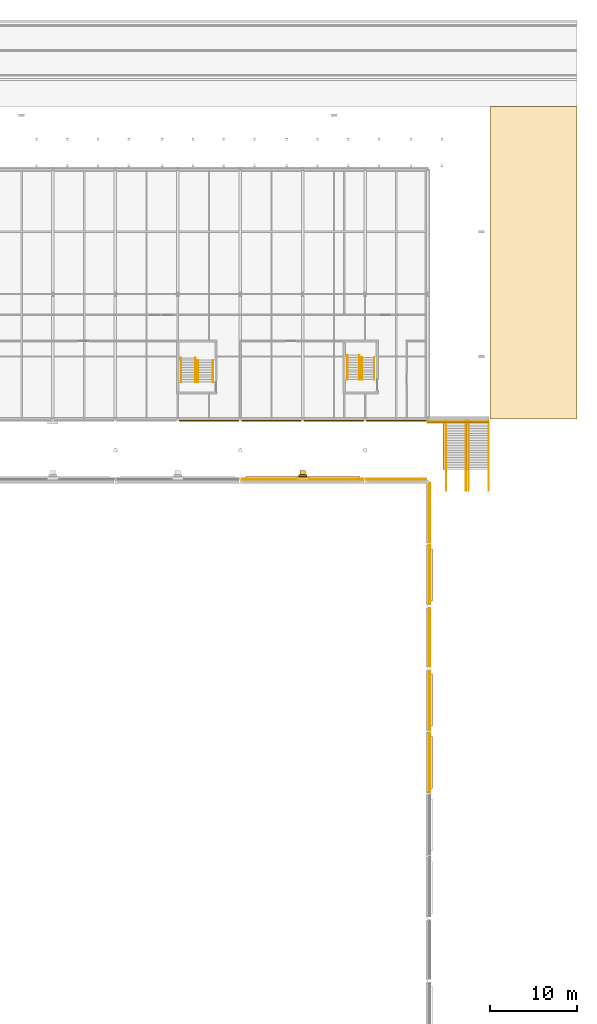
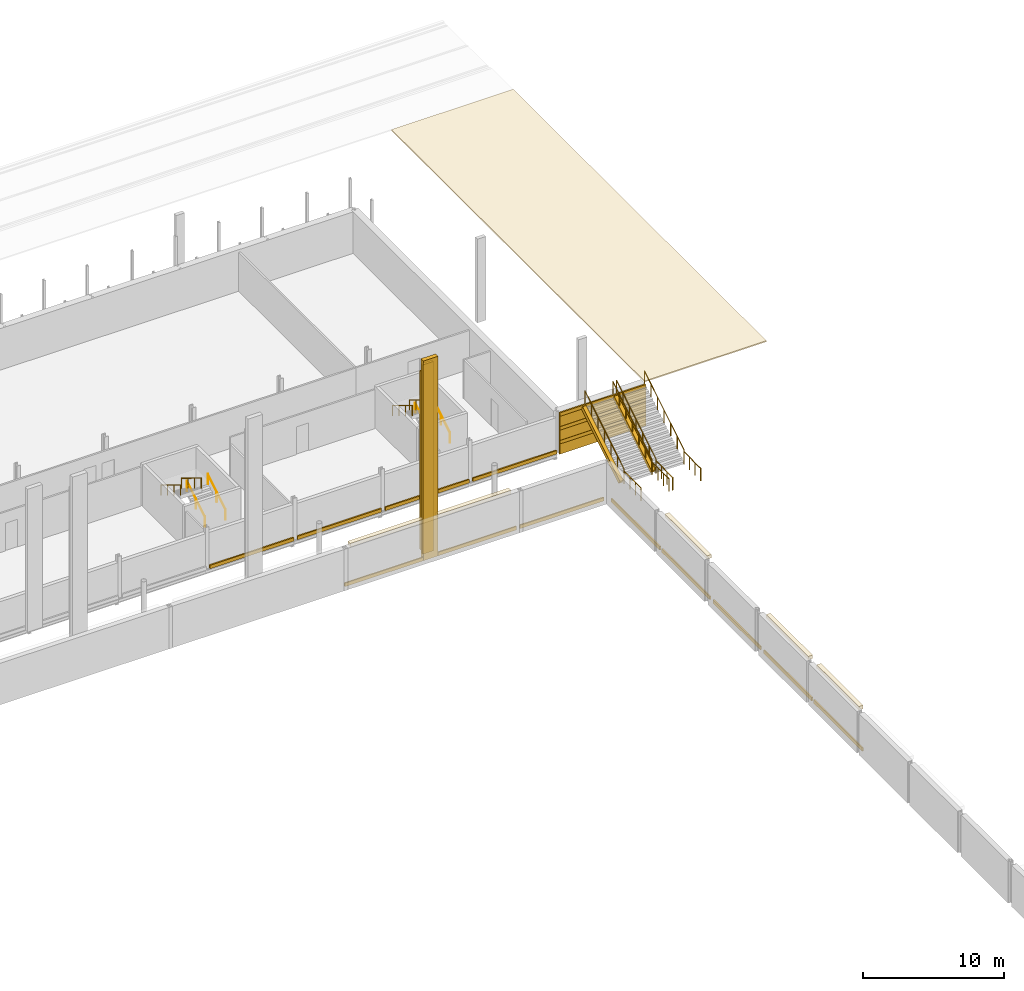
# One storey, part 86 of 90: 29 coverings, 16 railings.
"""IFC4 building model written with IfcOpenShell, lengths in metres."""

from ifc_helpers import new_model, si_unit, direction, frame, origin, origin_2d, place, context, subcontext, project, spatial, polyline, rectangle, circle, outline, extrude, material, layer, layer_set, type_object, element, save


model = new_model("IFC4")

# Units and contexts
model_context = context("Model", 3, precision=1e-05, world=origin(), true_north=direction((0.0, 1.0)))
body_context = subcontext(model_context, "Body", "Model", "MODEL_VIEW")
ifc_project = project(units=[si_unit("LENGTHUNIT", "METRE"), si_unit("AREAUNIT", "SQUARE_METRE"), si_unit("VOLUMEUNIT", "CUBIC_METRE"), si_unit("PLANEANGLEUNIT", "RADIAN"), si_unit("MASSUNIT", "GRAM", prefix="KILO")], contexts=[model_context])

# Site, building, storey
site_placement = place(None, origin())
site = spatial("IfcSite", under=ifc_project, at=site_placement, CompositionType="ELEMENT")
building_placement = place(site_placement, origin())
building = spatial("IfcBuilding", under=site, at=building_placement, Name="Kupolbacken Congress Centre", CompositionType="ELEMENT")
storey_placement = place(building_placement, frame((0.0, 0.0, 3.60009765625)))
storey = spatial("IfcBuildingStorey", under=building, at=storey_placement, Name="L01", CompositionType="ELEMENT", Elevation=3.60009765625)

# Coverings
ifc_material_1 = material(Name="Limestone cladding", Category="masonry")
ifc_layer_1 = layer(ifc_material_1, 0.1201171875)
ifc_layer_set_1 = layer_set([ifc_layer_1], Name="Limestone cladding")
covering_type_1 = type_object("IfcCoveringType", Name="CV1 limestone cladding band 120", PredefinedType="CLADDING", material=ifc_layer_set_1)
for number, where, z_axis, x_axis, name in (
    (1, (176.39990234375, 122.18994140625, 0.0), (0.0, 0.0, 1.0), (1.0, 0.0, 0.0), "E/B/S/L01/120/band"),
    (2, (183.60009765625, 122.18994140625, 0.0), (0.0, 0.0, 1.0), (1.0, 0.0, 0.0), "E/B/S/L01/121/band"),
    (3, (190.800048828125, 122.18994140625, 0.0), (0.0, 0.0, 1.0), (1.0, 0.0, 0.0), "E/B/S/L01/122/band"),
    (4, (198.0, 122.18994140625, 0.0), (0.0, 0.0, 1.0), (1.0, 0.0, 0.0), "E/B/S/L01/123/band"),
):
    element("IfcCovering", number, at=place(storey_placement, frame(where, z_axis=z_axis, x_axis=x_axis)), inside=storey, type_object=covering_type_1, Name=name, PredefinedType="CLADDING", context=body_context, shape_type="SweptSolid", body=[
        extrude(rectangle(XDim=6.89990234375, YDim=0.1201171875, at=origin_2d()), origin(), (0.0, 0.0, 1.0), 0.300048828125),
    ])
for number, where, name in (
    (5, (0.0, 0.0, 0.89990234375), "Retaining wall facing, limestone course"),
    (6, (0.0, 0.0, 2.099853515625), "Retaining wall facing, limestone course"),
    (7, (0.0, 0.0, 3.2998046875), "Retaining wall facing, limestone course"),
):
    element("IfcCovering", number, at=place(storey_placement, frame(where)), inside=storey, type_object=covering_type_1, Name=name, PredefinedType="CLADDING", context=body_context, shape_type="SweptSolid", body=[
        extrude(outline(polyline([(201.60009765625, 121.97998046875), (201.60009765625, 122.10009765625), (208.669921875, 122.10009765625), (208.669921875, 121.97998046875), (201.60009765625, 121.97998046875)])), origin(), (0.0, 0.0, 1.0), 0.300048828125),
    ])
covering_1_placement = place(storey_placement, frame((206.10009765625, 116.550048828125, 0.3212890625), z_axis=(0.0, -0.522084720175, 0.852893630507), x_axis=(0.0, 0.852893630507, 0.522084720175)))
element("IfcCovering", 8, at=covering_1_placement, inside=storey, type_object=covering_type_1, Name="Stair cheek band", PredefinedType="CLADDING", context=body_context, shape_type="SweptSolid", body=[
    extrude(outline(polyline([(0.0, 0.0), (6.237669234569635, 0.0), (6.237669234569635, -0.2998046875), (0.0, -0.2998046875), (0.0, 0.0)])), origin(), (0.0, 0.0, -1.0), 0.35009765625),
])
for number, where, z_axis, x_axis, name in (
    (9, (203.699951171875, 116.550048828125, 0.3212890625), (0.0, -0.522084720175, 0.852893630507), (0.0, 0.852893630507, 0.522084720175), "Stair cheek band"),
    (10, (206.300048828125, 116.550048828125, 0.3212890625), (0.0, -0.522084720175, 0.852893630507), (0.0, 0.852893630507, 0.522084720175), "Stair cheek band"),
):
    element("IfcCovering", number, at=place(storey_placement, frame(where, z_axis=z_axis, x_axis=x_axis)), inside=storey, type_object=covering_type_1, Name=name, PredefinedType="CLADDING", context=body_context, shape_type="SweptSolid", body=[
        extrude(outline(polyline([(0.0, 0.0), (6.237669234569635, 0.0), (6.237669234569635, 0.300048828125), (0.0, 0.300048828125), (0.0, 0.0)])), origin(), (0.0, 0.0, -1.0), 0.35009765625),
    ])
ifc_material_2 = material(Name="Brick cladding", Category="masonry")
ifc_layer_2 = layer(ifc_material_2, 0.10791015625)
ifc_layer_set_2 = layer_set([ifc_layer_2], Name="Brick cladding")
covering_type_2 = type_object("IfcCoveringType", Name="CV2 brick cladding band 108", PredefinedType="CLADDING", material=ifc_layer_set_2)
covering_2_placement = place(storey_placement, frame((201.864013671875, 82.800048828125, 0.0), z_axis=(0.0, 0.0, 1.0), x_axis=(0.0, 1.0, 0.0)))
element("IfcCovering", 11, at=covering_2_placement, inside=storey, type_object=covering_type_2, Name="E/H/E/L01/157/band", PredefinedType="CLADDING", context=body_context, shape_type="SweptSolid", body=[
    extrude(rectangle(XDim=6.909912109375, YDim=0.10791015625, at=origin_2d()), origin(), (0.0, 0.0, 1.0), 0.300048828125),
])
covering_3_placement = place(storey_placement, frame((201.864013671875, 89.949951171875, 0.0), z_axis=(0.0, 0.0, 1.0), x_axis=(0.0, 1.0, 0.0)))
element("IfcCovering", 12, at=covering_3_placement, inside=storey, type_object=covering_type_2, Name="E/H/E/L01/158/band", PredefinedType="CLADDING", context=body_context, shape_type="SweptSolid", body=[
    extrude(rectangle(XDim=6.81005859375, YDim=0.10791015625, at=origin_2d()), origin(), (0.0, 0.0, 1.0), 0.300048828125),
])
covering_4_placement = place(storey_placement, frame((201.864013671875, 97.199951171875, 0.0), z_axis=(0.0, 0.0, 1.0), x_axis=(0.0, 1.0, 0.0)))
element("IfcCovering", 13, at=covering_4_placement, inside=storey, type_object=covering_type_2, Name="E/H/E/L01/159/band", PredefinedType="CLADDING", context=body_context, shape_type="SweptSolid", body=[
    extrude(rectangle(XDim=6.7099609375, YDim=0.10791015625, at=origin_2d()), origin(), (0.0, 0.0, 1.0), 0.300048828125),
])
covering_5_placement = place(storey_placement, frame((201.864013671875, 104.449951171875, 0.0), z_axis=(0.0, 0.0, 1.0), x_axis=(0.0, 1.0, 0.0)))
element("IfcCovering", 14, at=covering_5_placement, inside=storey, type_object=covering_type_2, Name="E/H/E/L01/160/band", PredefinedType="CLADDING", context=body_context, shape_type="SweptSolid", body=[
    extrude(rectangle(XDim=6.81005859375, YDim=0.10791015625, at=origin_2d()), origin(), (0.0, 0.0, 1.0), 0.300048828125),
])
covering_6_placement = place(storey_placement, frame((201.864013671875, 111.60009765625, 0.0), z_axis=(0.0, 0.0, 1.0), x_axis=(0.0, 1.0, 0.0)))
element("IfcCovering", 15, at=covering_6_placement, inside=storey, type_object=covering_type_2, Name="E/H/E/L01/161/band", PredefinedType="CLADDING", context=body_context, shape_type="SweptSolid", body=[
    extrude(rectangle(XDim=6.909912109375, YDim=0.10791015625, at=origin_2d()), origin(), (0.0, 0.0, 1.0), 0.300048828125),
])
covering_7_placement = place(storey_placement, frame((198.0, 115.464111328125, 0.0), z_axis=(0.0, 0.0, 1.0), x_axis=(-1.0, 0.0, 0.0)))
element("IfcCovering", 16, at=covering_7_placement, inside=storey, type_object=covering_type_2, Name="E/H/N/L01/162/band", PredefinedType="CLADDING", context=body_context, shape_type="SweptSolid", body=[
    extrude(rectangle(XDim=6.89990234375, YDim=0.10791015625, at=origin_2d()), origin(), (0.0, 0.0, 1.0), 0.300048828125),
])
covering_8_placement = place(storey_placement, frame((187.199951171875, 115.464111328125, 0.0), z_axis=(0.0, 0.0, 1.0), x_axis=(-1.0, 0.0, 0.0)))
element("IfcCovering", 17, at=covering_8_placement, inside=storey, type_object=covering_type_2, Name="E/H/N/L01/163/band", PredefinedType="CLADDING", context=body_context, shape_type="SweptSolid", body=[
    extrude(rectangle(XDim=14.10009765625, YDim=0.10791015625, at=origin_2d()), origin(), (0.0, 0.0, 1.0), 0.300048828125),
])
for number, where, name in (
    (18, (0.0, 0.0, 0.0), "Retaining wall facing, brick course"),
    (19, (0.0, 0.0, 1.199951171875), "Retaining wall facing, brick course"),
    (20, (0.0, 0.0, 2.39990234375), "Retaining wall facing, brick course"),
):
    element("IfcCovering", number, at=place(storey_placement, frame(where)), inside=storey, type_object=covering_type_2, Name=name, PredefinedType="CLADDING", context=body_context, shape_type="SweptSolid", body=[
        extrude(outline(polyline([(201.60009765625, 121.991943359375), (201.60009765625, 122.10009765625), (208.669921875, 122.10009765625), (208.669921875, 121.991943359375), (201.60009765625, 121.991943359375)])), origin(), (0.0, 0.0, 1.0), 0.89990234375),
    ])
ifc_material_3 = material(Name="Limestone cladding", Category="masonry")
ifc_layer_3 = layer(ifc_material_3, 0.35009765625)
ifc_layer_set_3 = layer_set([ifc_layer_3], Name="Limestone cladding")
covering_type_3 = type_object("IfcCoveringType", Name="CV3 limestone pilaster strip 350", PredefinedType="CLADDING", material=ifc_layer_set_3)
covering_9_placement = place(storey_placement, frame((187.199951171875, 115.5849609375, 0.0), z_axis=(0.0, 0.0, 1.0), x_axis=(1.0, 0.0, 0.0)))
element("IfcCovering", 21, at=covering_9_placement, inside=storey, type_object=covering_type_3, Name="F/H/N/pil/14/0", PredefinedType="CLADDING", context=body_context, shape_type="SweptSolid", body=[
    extrude(rectangle(XDim=1.199951171875, YDim=0.35009765625, at=origin_2d()), origin(), (0.0, 0.0, 1.0), 17.3349609375),
])
for number, where, z_axis, x_axis, name in (
    (22, (183.60009765625, 115.5849609375, 3.2998046875), (0.0, 0.0, 1.0), (1.0, 0.0, 0.0), "F/HR/H/N/string/7.2/13/0"),
    (23, (190.800048828125, 115.5849609375, 3.2998046875), (0.0, 0.0, 1.0), (1.0, 0.0, 0.0), "F/HR/H/N/string/7.2/14/0"),
    (24, (201.985107421875, 82.800048828125, 3.2998046875), (0.0, 0.0, 1.0), (0.0, 1.0, 0.0), "F/HR/H/E/string/7.2/05/0"),
    (25, (201.985107421875, 90.0, 3.2998046875), (0.0, 0.0, 1.0), (0.0, 1.0, 0.0), "F/HR/H/E/string/7.2/06/0"),
    (26, (201.985107421875, 104.39990234375, 3.2998046875), (0.0, 0.0, 1.0), (0.0, 1.0, 0.0), "F/HR/H/E/string/7.2/08/0"),
):
    element("IfcCovering", number, at=place(storey_placement, frame(where, z_axis=z_axis, x_axis=x_axis)), inside=storey, type_object=covering_type_3, Name=name, PredefinedType="CLADDING", context=body_context, shape_type="SweptSolid", body=[
        extrude(rectangle(XDim=6.0, YDim=0.35009765625, at=origin_2d()), origin(), (0.0, 0.0, 1.0), 0.300048828125),
    ])
ifc_material_4 = material(Name="Limestone cladding", Category="masonry")
ifc_layer_4 = layer(ifc_material_4, 0.5)
ifc_layer_set_4 = layer_set([ifc_layer_4], Name="Limestone cladding")
covering_type_4 = type_object("IfcCoveringType", Name="CV8 limestone drum pier 500", PredefinedType="CLADDING", material=ifc_layer_set_4)
covering_10_placement = place(storey_placement, frame((187.199951171875, 116.2099609375, 0.2998046875), z_axis=(0.0, 0.0, 1.0), x_axis=(1.0, 0.0, 0.0)))
element("IfcCovering", 27, at=covering_10_placement, inside=storey, type_object=covering_type_4, Name="F/HR/H/N/butt/14-0/0", PredefinedType="CLADDING", context=body_context, shape_type="SweptSolid", body=[
    extrude(rectangle(XDim=0.60009765625, YDim=0.5, at=origin_2d()), origin(), (0.0, 0.0, 1.0), 15.485107421875),
])
ifc_material_5 = material(Name="Limestone cladding", Category="masonry")
ifc_layer_5 = layer(ifc_material_5, 0.199951171875)
ifc_layer_set_5 = layer_set([ifc_layer_5], Name="Limestone cladding")
covering_type_5 = type_object("IfcCoveringType", Name="CV9 limestone drum arch frame 200", PredefinedType="CLADDING", material=ifc_layer_set_5)
covering_11_placement = place(storey_placement, frame((187.199951171875, 115.860107421875, 0.2998046875), z_axis=(0.0, 0.0, 1.0), x_axis=(1.0, 0.0, 0.0)))
element("IfcCovering", 28, at=covering_11_placement, inside=storey, type_object=covering_type_5, Name="F/HR/H/N/rib/14-0/0", PredefinedType="CLADDING", context=body_context, shape_type="SweptSolid", body=[
    extrude(rectangle(XDim=0.89990234375, YDim=0.199951171875, at=origin_2d()), origin(), (0.0, 0.0, 1.0), 16.43505859375),
])
ifc_material_6 = material(Name="Grass", Category="soil")
ifc_layer_6 = layer(ifc_material_6, 0.10009765625)
ifc_layer_set_6 = layer_set([ifc_layer_6], Name="Grass")
covering_type_6 = type_object("IfcCoveringType", Name="GR2 grass surface 100", PredefinedType="FLOORING", material=ifc_layer_set_6)
covering_12_placement = place(storey_placement, frame((0.0, 0.0, 3.5)))
element("IfcCovering", 29, at=covering_12_placement, inside=storey, type_object=covering_type_6, Name="Grass, east hill 122", PredefinedType="FLOORING", context=body_context, shape_type="SweptSolid", body=[
    extrude(outline(polyline([(218.800048828125, 158.39990234375), (218.800048828125, 122.39990234375), (208.800048828125, 122.39990234375), (208.800048828125, 158.39990234375), (218.800048828125, 158.39990234375)])), origin(), (0.0, 0.0, 1.0), 0.099853515625),
])

# Railings
ifc_material_7 = material(Name="Steel S235", Category="steel")
railing_type_1 = type_object("IfcRailingType", Name="RL2 stair guard with handrail 900 / 1100", PredefinedType="GUARDRAIL", material=ifc_material_7)
for number, where, name in (
    (30, (203.75, 116.550048828125, 0.17138671875), "C/xguard/XS2/XS2-B/W"),
    (31, (206.050048828125, 116.550048828125, 0.17138671875), "C/xguard/XS2/XS2-B/E"),
):
    element("IfcRailing", number, at=place(storey_placement, frame(where)), inside=storey, type_object=railing_type_1, Name=name, PredefinedType="GUARDRAIL", context=body_context, shape_type="SweptSolid", body=[
        extrude(circle(Radius=0.02392578125, at=origin_2d()), frame((0.0, 0.0, 1.076171875), z_axis=(0.0, 0.852885433425, 0.522098110944), x_axis=(-1.0, 0.0, 0.0)), (0.0, 0.0, 1.0), 6.565673828125),
        extrude(circle(Radius=0.02099609375, at=origin_2d()), origin(), (0.0, 0.0, 1.0), 1.052001953125),
        extrude(circle(Radius=0.02099609375, at=origin_2d()), frame((0.0, 0.933349609375, 0.5712890625)), (0.0, 0.0, 1.0), 1.052001953125),
        extrude(circle(Radius=0.02099609375, at=origin_2d()), frame((0.0, 1.86669921875, 1.142578125)), (0.0, 0.0, 1.0), 1.052001953125),
        extrude(circle(Radius=0.02099609375, at=origin_2d()), frame((0.0, 2.7998046875, 1.7138671875)), (0.0, 0.0, 1.0), 1.052001953125),
        extrude(circle(Radius=0.02099609375, at=origin_2d()), frame((0.0, 3.733154296875, 2.285400390625)), (0.0, 0.0, 1.0), 1.052001953125),
        extrude(circle(Radius=0.02099609375, at=origin_2d()), frame((0.0, 4.66650390625, 2.856689453125)), (0.0, 0.0, 1.0), 1.052001953125),
        extrude(circle(Radius=0.02099609375, at=origin_2d()), frame((0.0, 5.599853515625, 3.427978515625)), (0.0, 0.0, 1.0), 1.052001953125),
    ])
for number, where, name in (
    (32, (203.75, 114.14990234375, 0.0), "C/xguard/XS2/L1/W"),
    (33, (206.050048828125, 114.14990234375, 0.0), "C/xguard/XS2/L1/E"),
):
    element("IfcRailing", number, at=place(storey_placement, frame(where)), inside=storey, type_object=railing_type_1, Name=name, PredefinedType="GUARDRAIL", context=body_context, shape_type="SweptSolid", body=[
        extrude(circle(Radius=0.02392578125, at=origin_2d()), frame((0.0, 0.0, 1.076171875), z_axis=(0.0, 1.0, 0.0), x_axis=(-1.0, 0.0, 0.0)), (0.0, 0.0, 1.0), 2.400146484375),
        extrude(circle(Radius=0.02099609375, at=origin_2d()), origin(), (0.0, 0.0, 1.0), 1.052001953125),
        extrude(circle(Radius=0.02099609375, at=origin_2d()), frame((0.0, 0.800048828125, 0.0)), (0.0, 0.0, 1.0), 1.052001953125),
        extrude(circle(Radius=0.02099609375, at=origin_2d()), frame((0.0, 1.60009765625, 0.0)), (0.0, 0.0, 1.0), 1.052001953125),
        extrude(circle(Radius=0.02099609375, at=origin_2d()), frame((0.0, 2.400146484375, 0.0)), (0.0, 0.0, 1.0), 1.052001953125),
    ])
for number, where, name in (
    (34, (206.35009765625, 116.550048828125, 0.17138671875), "C/xguard/XS3/XS3-B/W"),
    (35, (208.64990234375, 116.550048828125, 0.17138671875), "C/xguard/XS3/XS3-B/E"),
):
    element("IfcRailing", number, at=place(storey_placement, frame(where)), inside=storey, type_object=railing_type_1, Name=name, PredefinedType="GUARDRAIL", context=body_context, shape_type="SweptSolid", body=[
        extrude(circle(Radius=0.02392578125, at=origin_2d()), frame((0.0, 0.0, 1.076171875), z_axis=(0.0, 0.852885433425, 0.522098110944), x_axis=(-1.0, 0.0, 0.0)), (0.0, 0.0, 1.0), 6.565673828125),
        extrude(circle(Radius=0.02099609375, at=origin_2d()), origin(), (0.0, 0.0, 1.0), 1.052001953125),
        extrude(circle(Radius=0.02099609375, at=origin_2d()), frame((0.0, 0.933349609375, 0.5712890625)), (0.0, 0.0, 1.0), 1.052001953125),
        extrude(circle(Radius=0.02099609375, at=origin_2d()), frame((0.0, 1.86669921875, 1.142578125)), (0.0, 0.0, 1.0), 1.052001953125),
        extrude(circle(Radius=0.02099609375, at=origin_2d()), frame((0.0, 2.7998046875, 1.7138671875)), (0.0, 0.0, 1.0), 1.052001953125),
        extrude(circle(Radius=0.02099609375, at=origin_2d()), frame((0.0, 3.733154296875, 2.285400390625)), (0.0, 0.0, 1.0), 1.052001953125),
        extrude(circle(Radius=0.02099609375, at=origin_2d()), frame((0.0, 4.66650390625, 2.856689453125)), (0.0, 0.0, 1.0), 1.052001953125),
        extrude(circle(Radius=0.02099609375, at=origin_2d()), frame((0.0, 5.599853515625, 3.427978515625)), (0.0, 0.0, 1.0), 1.052001953125),
    ])
for number, where, name in (
    (36, (206.35009765625, 114.14990234375, 0.0), "C/xguard/XS3/L1/W"),
    (37, (208.64990234375, 114.14990234375, 0.0), "C/xguard/XS3/L1/E"),
):
    element("IfcRailing", number, at=place(storey_placement, frame(where)), inside=storey, type_object=railing_type_1, Name=name, PredefinedType="GUARDRAIL", context=body_context, shape_type="SweptSolid", body=[
        extrude(circle(Radius=0.02392578125, at=origin_2d()), frame((0.0, 0.0, 1.076171875), z_axis=(0.0, 1.0, 0.0), x_axis=(-1.0, 0.0, 0.0)), (0.0, 0.0, 1.0), 2.400146484375),
        extrude(circle(Radius=0.02099609375, at=origin_2d()), origin(), (0.0, 0.0, 1.0), 1.052001953125),
        extrude(circle(Radius=0.02099609375, at=origin_2d()), frame((0.0, 0.800048828125, 0.0)), (0.0, 0.0, 1.0), 1.052001953125),
        extrude(circle(Radius=0.02099609375, at=origin_2d()), frame((0.0, 1.60009765625, 0.0)), (0.0, 0.0, 1.0), 1.052001953125),
        extrude(circle(Radius=0.02099609375, at=origin_2d()), frame((0.0, 2.400146484375, 0.0)), (0.0, 0.0, 1.0), 1.052001953125),
    ])
ifc_material_8 = material(Name="Steel S235", Category="steel")
railing_type_2 = type_object("IfcRailingType", Name="RL3 handrail wall-mounted 900", PredefinedType="HANDRAIL", material=ifc_material_8)
for number, where, name in (
    (38, (194.050048828125, 126.955078125, 0.17138671875), "C/stair/BS3/L01/HR1L"),
    (39, (195.449951171875, 126.955078125, 0.17138671875), "C/stair/BS3/L01/HR1R"),
):
    element("IfcRailing", number, at=place(storey_placement, frame(where)), inside=storey, type_object=railing_type_2, Name=name, PredefinedType="HANDRAIL", context=body_context, shape_type="SweptSolid", body=[
        extrude(circle(Radius=0.02392578125, at=origin_2d()), frame((0.0, 0.0, 0.8759765625), z_axis=(0.0, 0.852873080145, 0.522118290393), x_axis=(-1.0, 0.0, 0.0)), (0.0, 0.0, 1.0), 2.954833984375),
        extrude(circle(Radius=0.02099609375, at=origin_2d()), origin(), (0.0, 0.0, 1.0), 0.851806640625),
        extrude(circle(Radius=0.02099609375, at=origin_2d()), frame((0.0, 1.260009765625, 0.771484375)), (0.0, 0.0, 1.0), 0.851806640625),
        extrude(circle(Radius=0.02099609375, at=origin_2d()), frame((0.0, 2.52001953125, 1.542724609375)), (0.0, 0.0, 1.0), 0.851806640625),
    ])
for number, where, name in (
    (40, (193.75, 129.7548828125, 1.885498046875), "C/stair/BS3/L01/HR2L"),
    (41, (192.35009765625, 129.7548828125, 1.885498046875), "C/stair/BS3/L01/HR2R"),
):
    element("IfcRailing", number, at=place(storey_placement, frame(where)), inside=storey, type_object=railing_type_2, Name=name, PredefinedType="HANDRAIL", context=body_context, shape_type="SweptSolid", body=[
        extrude(circle(Radius=0.02392578125, at=origin_2d()), frame((0.0, 0.0, 0.8759765625), z_axis=(0.0, -0.852825620865, 0.522195806567), x_axis=(1.0, 0.0, 0.0)), (0.0, 0.0, 1.0), 3.282958984375),
        extrude(circle(Radius=0.02099609375, at=origin_2d()), origin(), (0.0, 0.0, 1.0), 0.851806640625),
        extrude(circle(Radius=0.02099609375, at=origin_2d()), frame((0.0, -0.933349609375, 0.571533203125)), (0.0, 0.0, 1.0), 0.851806640625),
        extrude(circle(Radius=0.02099609375, at=origin_2d()), frame((0.0, -1.866455078125, 1.142822265625)), (0.0, 0.0, 1.0), 0.851806640625),
        extrude(circle(Radius=0.02099609375, at=origin_2d()), frame((0.0, -2.7998046875, 1.71435546875)), (0.0, 0.0, 1.0), 0.851806640625),
    ])
for number, where, name in (
    (42, (175.14990234375, 126.655029296875, 0.17138671875), "C/stair/BS4/L01/HR1L"),
    (43, (176.85009765625, 126.655029296875, 0.17138671875), "C/stair/BS4/L01/HR1R"),
):
    element("IfcRailing", number, at=place(storey_placement, frame(where)), inside=storey, type_object=railing_type_2, Name=name, PredefinedType="HANDRAIL", context=body_context, shape_type="SweptSolid", body=[
        extrude(circle(Radius=0.02392578125, at=origin_2d()), frame((0.0, 0.0, 0.8759765625), z_axis=(0.0, 0.852873080145, 0.522118290393), x_axis=(-1.0, 0.0, 0.0)), (0.0, 0.0, 1.0), 2.954833984375),
        extrude(circle(Radius=0.02099609375, at=origin_2d()), origin(), (0.0, 0.0, 1.0), 0.851806640625),
        extrude(circle(Radius=0.02099609375, at=origin_2d()), frame((0.0, 1.260009765625, 0.771484375)), (0.0, 0.0, 1.0), 0.851806640625),
        extrude(circle(Radius=0.02099609375, at=origin_2d()), frame((0.0, 2.52001953125, 1.542724609375)), (0.0, 0.0, 1.0), 0.851806640625),
    ])
for number, where, name in (
    (44, (174.85009765625, 129.455078125, 1.885498046875), "C/stair/BS4/L01/HR2L"),
    (45, (173.14990234375, 129.455078125, 1.885498046875), "C/stair/BS4/L01/HR2R"),
):
    element("IfcRailing", number, at=place(storey_placement, frame(where)), inside=storey, type_object=railing_type_2, Name=name, PredefinedType="HANDRAIL", context=body_context, shape_type="SweptSolid", body=[
        extrude(circle(Radius=0.02392578125, at=origin_2d()), frame((0.0, 0.0, 0.8759765625), z_axis=(0.0, -0.852845897599, 0.522162690116), x_axis=(1.0, 0.0, 0.0)), (0.0, 0.0, 1.0), 3.283203125),
        extrude(circle(Radius=0.02099609375, at=origin_2d()), origin(), (0.0, 0.0, 1.0), 0.851806640625),
        extrude(circle(Radius=0.02099609375, at=origin_2d()), frame((0.0, -0.933349609375, 0.571533203125)), (0.0, 0.0, 1.0), 0.851806640625),
        extrude(circle(Radius=0.02099609375, at=origin_2d()), frame((0.0, -1.86669921875, 1.142822265625)), (0.0, 0.0, 1.0), 0.851806640625),
        extrude(circle(Radius=0.02099609375, at=origin_2d()), frame((0.0, -2.800048828125, 1.71435546875)), (0.0, 0.0, 1.0), 0.851806640625),
    ])

save(model, "model.ifc")
